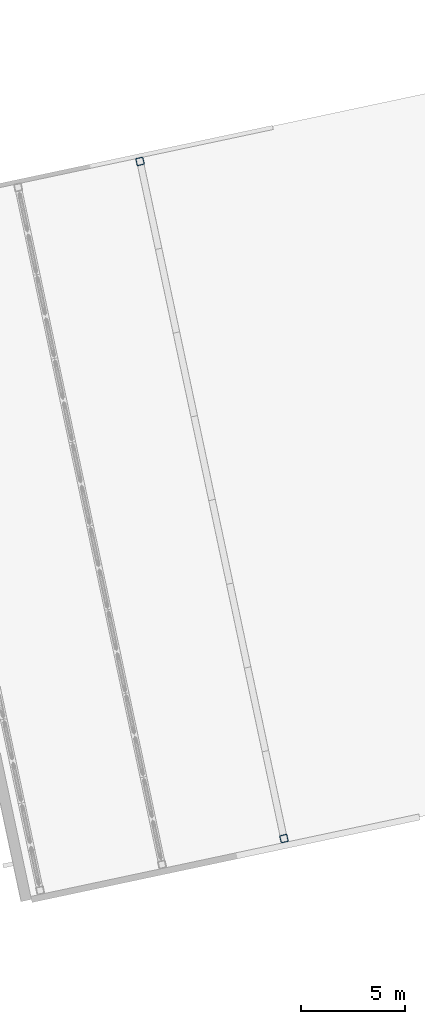
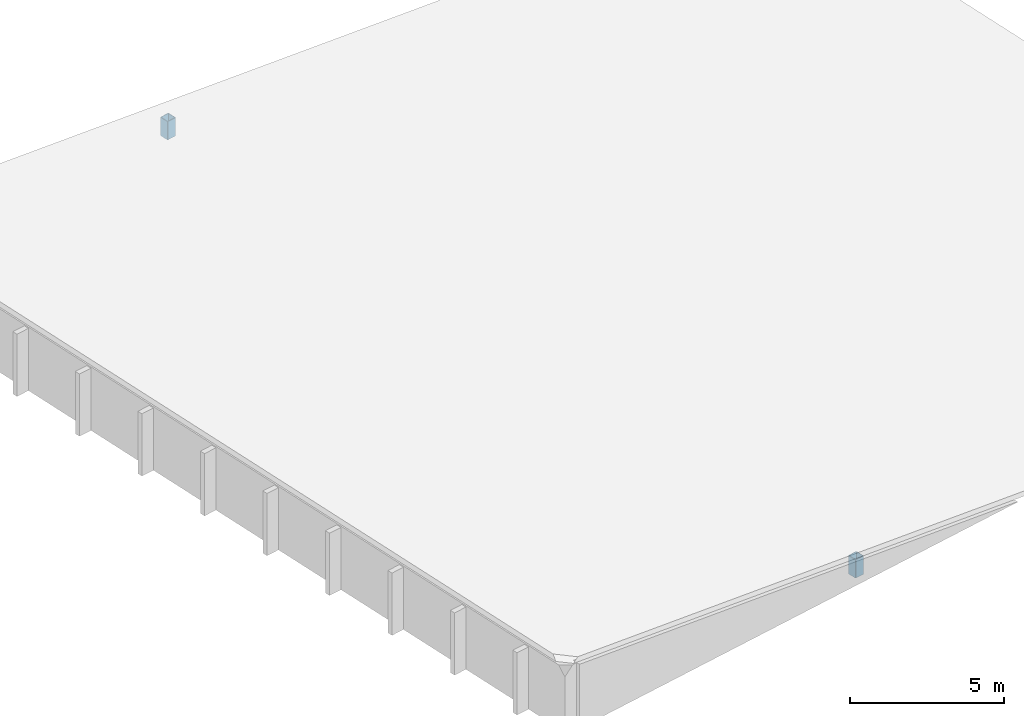
# One storey, part 8 of 50: 2 columns.
"""IFC4 building model written with IfcOpenShell, lengths in metres."""

from ifc_helpers import new_model, si_unit, direction, frame, origin, origin_2d, place, context, subcontext, project, spatial, hollow_rectangle, extrude, material, material_profile, profile_set, type_object, element, save


model = new_model("IFC4")

# Units and contexts
model_context = context("Model", 3, precision=1e-05, world=origin(), true_north=direction((0.0, 1.0)))
body_context = subcontext(model_context, "Body", "Model", "MODEL_VIEW")
ifc_project = project(units=[si_unit("LENGTHUNIT", "METRE"), si_unit("AREAUNIT", "SQUARE_METRE"), si_unit("VOLUMEUNIT", "CUBIC_METRE"), si_unit("PLANEANGLEUNIT", "RADIAN"), si_unit("MASSUNIT", "GRAM", prefix="KILO")], contexts=[model_context])

# Site, building, storey
site_placement = place(None, origin())
site = spatial("IfcSite", under=ifc_project, at=site_placement, CompositionType="ELEMENT")
building_placement = place(site_placement, origin())
building = spatial("IfcBuilding", under=site, at=building_placement, Name="Windward Yard Aquatics Centre", CompositionType="ELEMENT")
storey_placement = place(building_placement, frame((0.0, 0.0, 18.199951171875)))
storey = spatial("IfcBuildingStorey", under=building, at=storey_placement, Name="L04", CompositionType="ELEMENT", Elevation=18.199951171875)

# Columns
ifc_material = material(Name="Steel ASTM A500 Gr C", Category="steel")
ifc_material_profile = material_profile(ifc_material, hollow_rectangle(XDim=0.355712890625, YDim=0.355712890625, WallThickness=0.015869140625, InnerFilletRadius=0.008056640625, OuterFilletRadius=0.02392578125, at=origin_2d()), Name="HSS356X356X15.9")
ifc_profile_set = profile_set([ifc_material_profile], Name="Steel ASTM A500 Gr C")
column_type = type_object("IfcColumnType", Name="D column HSS356X356X15.9", PredefinedType="COLUMN", material=ifc_profile_set)
for number, where, z_axis, x_axis, name in (
    (1, (175.594970703125, 44.45654296875, 0.0), (0.0, 0.0, 1.0), (0.978147600734, 0.207911690818, 0.0), "D.COL.3.1.6"),
    (2, (168.667236328125, 77.048583984375, 0.0), (0.0, 0.0, 1.0), (0.978147600734, 0.207911690818, 0.0), "D.COL.3.2.6"),
):
    element("IfcColumn", number, at=place(storey_placement, frame(where, z_axis=z_axis, x_axis=x_axis)), inside=storey, type_object=column_type, Name=name, PredefinedType="COLUMN", context=body_context, shape_type="SweptSolid", body=[
        extrude(hollow_rectangle(XDim=0.355712890625, YDim=0.355712890625, WallThickness=0.015869140625, InnerFilletRadius=0.008056640625, OuterFilletRadius=0.02392578125, at=origin_2d()), origin(), (0.0, 0.0, 1.0), 0.725830078125),
    ])

save(model, "model.ifc")
